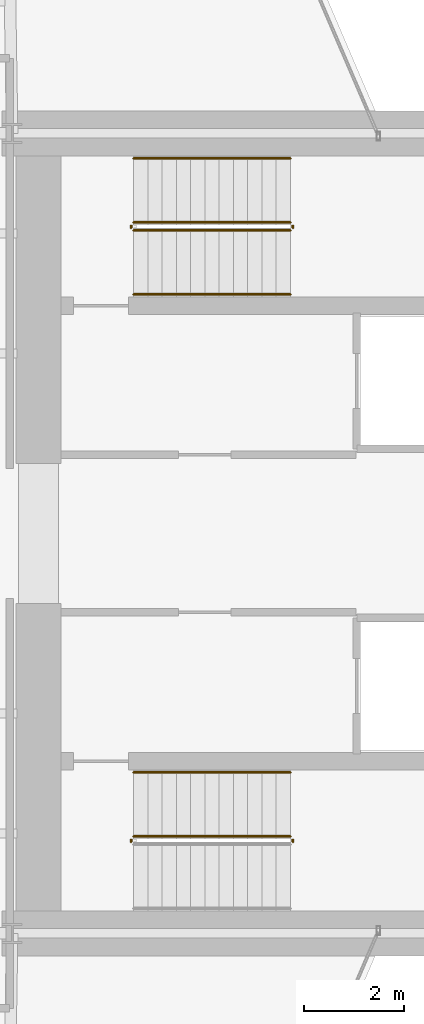
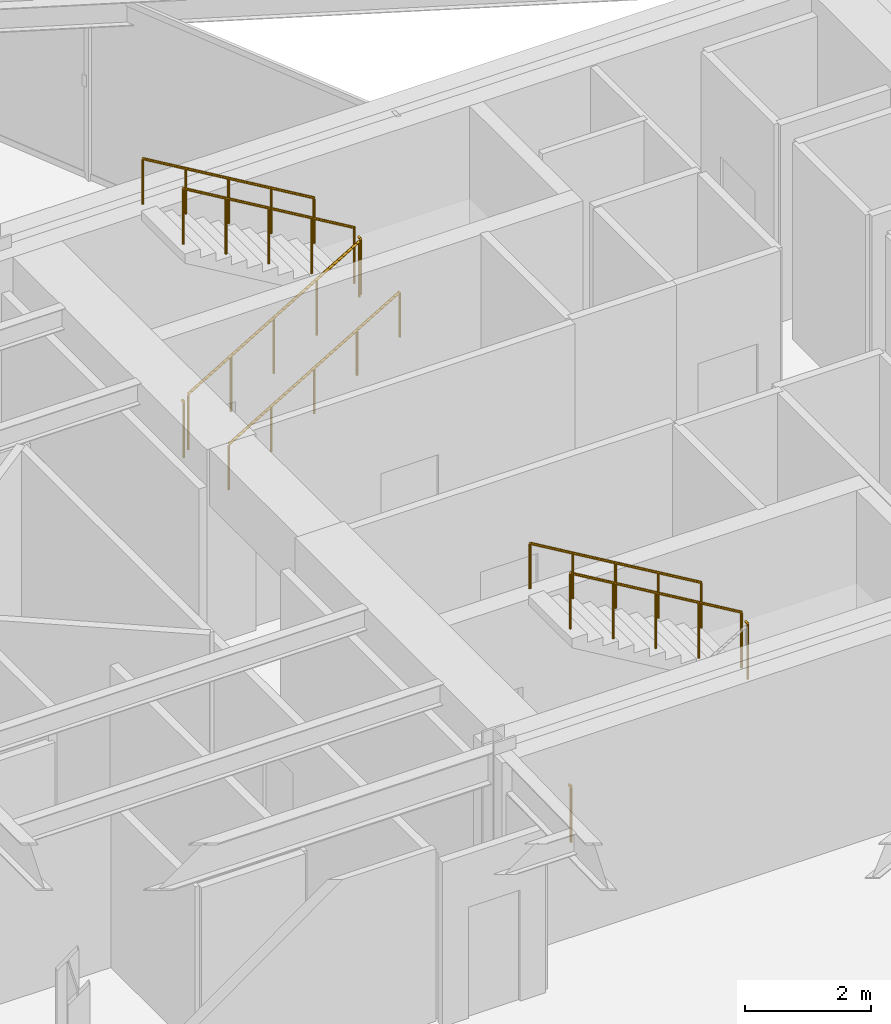
# One storey, part 27 of 27: 10 railings.
"""IFC4 building model written with IfcOpenShell, lengths in metres."""

from ifc_helpers import new_model, si_unit, direction, frame, origin, origin_2d, place, context, subcontext, project, spatial, circle, extrude, material, type_object, element, save


model = new_model("IFC4")

# Units and contexts
model_context = context("Model", 3, precision=1e-05, world=origin(), true_north=direction((0.0, 1.0)))
body_context = subcontext(model_context, "Body", "Model", "MODEL_VIEW")
ifc_project = project(units=[si_unit("LENGTHUNIT", "METRE"), si_unit("AREAUNIT", "SQUARE_METRE"), si_unit("VOLUMEUNIT", "CUBIC_METRE"), si_unit("PLANEANGLEUNIT", "RADIAN"), si_unit("MASSUNIT", "GRAM", prefix="KILO")], contexts=[model_context])

# Site, building, storey
site_placement = place(None, origin())
site = spatial("IfcSite", under=ifc_project, at=site_placement, CompositionType="ELEMENT")
building_placement = place(site_placement, origin())
building = spatial("IfcBuilding", under=site, at=building_placement, Name="Veymaron Broadcast Tower", CompositionType="ELEMENT")
storey_placement = place(building_placement, frame((0.0, 0.0, 86.39990234375)))
storey = spatial("IfcBuildingStorey", under=building, at=storey_placement, Name="L19", CompositionType="ELEMENT", Elevation=86.39990234375)

# Railings
ifc_material_1 = material(Name="Brushed stainless steel AISI 304", Category="steel")
railing_type_1 = type_object("IfcRailingType", Name="RAIL-STAIR-HR", PredefinedType="HANDRAIL", material=ifc_material_1)
railing_1_placement = place(storey_placement, frame((41.429931640625, 28.780029296875, 0.1689453125)))
element("IfcRailing", 1, at=railing_1_placement, inside=storey, type_object=railing_type_1, Name="L19 ST1 stair handrail 1", PredefinedType="HANDRAIL", context=body_context, shape_type="SweptSolid", body=[
    extrude(circle(Radius=0.02392578125, at=origin_2d()), frame((0.0, 0.0, 0.8759765625), z_axis=(0.860481960309, 0.0, 0.509480908359), x_axis=(0.0, 1.0, 0.0)), (0.0, 0.0, 1.0), 3.643310546875),
    extrude(circle(Radius=0.02099609375, at=origin_2d()), origin(), (0.0, 0.0, 1.0), 0.851806640625),
    extrude(circle(Radius=0.02099609375, at=origin_2d()), frame((0.78369140625, 0.0, 0.464111328125)), (0.0, 0.0, 1.0), 0.851806640625),
    extrude(circle(Radius=0.02099609375, at=origin_2d()), frame((1.5673828125, 0.0, 0.92822265625)), (0.0, 0.0, 1.0), 0.851806640625),
    extrude(circle(Radius=0.02099609375, at=origin_2d()), frame((2.351318359375, 0.0, 1.39208984375)), (0.0, 0.0, 1.0), 0.851806640625),
    extrude(circle(Radius=0.02099609375, at=origin_2d()), frame((3.135009765625, 0.0, 1.856201171875)), (0.0, 0.0, 1.0), 0.851806640625),
])
for number, where, name in (
    (2, (44.56494140625, 31.5, 2.19384765625), "L19 ST1 stair handrail 2"),
    (3, (44.56494140625, 19.219970703125, 2.19384765625), "L19 ST2 stair handrail 2"),
):
    element("IfcRailing", number, at=place(storey_placement, frame(where)), inside=storey, type_object=railing_type_1, Name=name, PredefinedType="HANDRAIL", context=body_context, shape_type="SweptSolid", body=[
        extrude(circle(Radius=0.02392578125, at=origin_2d()), frame((0.0, 0.0, 0.8759765625), z_axis=(-0.860481960309, 0.0, 0.509480908359), x_axis=(0.0, -1.0, 0.0)), (0.0, 0.0, 1.0), 3.643310546875),
        extrude(circle(Radius=0.02099609375, at=origin_2d()), origin(), (0.0, 0.0, 1.0), 0.851806640625),
        extrude(circle(Radius=0.02099609375, at=origin_2d()), frame((-0.78369140625, 0.0, 0.464111328125)), (0.0, 0.0, 1.0), 0.851806640625),
        extrude(circle(Radius=0.02099609375, at=origin_2d()), frame((-1.5673828125, 0.0, 0.92822265625)), (0.0, 0.0, 1.0), 0.851806640625),
        extrude(circle(Radius=0.02099609375, at=origin_2d()), frame((-2.351318359375, 0.0, 1.39208984375)), (0.0, 0.0, 1.0), 0.851806640625),
        extrude(circle(Radius=0.02099609375, at=origin_2d()), frame((-3.135009765625, 0.0, 1.856201171875)), (0.0, 0.0, 1.0), 0.851806640625),
    ])
ifc_material_2 = material(Name="Painted galvanized steel balustrade", Category="steel")
railing_type_2 = type_object("IfcRailingType", Name="RAIL-WELL-GRD", PredefinedType="GUARDRAIL", material=ifc_material_2)
railing_2_placement = place(storey_placement, frame((41.429931640625, 30.06005859375, 0.1689453125)))
element("IfcRailing", 4, at=railing_2_placement, inside=storey, type_object=railing_type_2, Name="L19 ST1 stair guard 1", PredefinedType="GUARDRAIL", context=body_context, shape_type="SweptSolid", body=[
    extrude(circle(Radius=0.02392578125, at=origin_2d()), frame((0.0, 0.0, 1.076171875), z_axis=(0.860481960309, 0.0, 0.509480908359), x_axis=(0.0, 1.0, 0.0)), (0.0, 0.0, 1.0), 3.643310546875),
    extrude(circle(Radius=0.02099609375, at=origin_2d()), origin(), (0.0, 0.0, 1.0), 1.052001953125),
    extrude(circle(Radius=0.02099609375, at=origin_2d()), frame((0.78369140625, 0.0, 0.464111328125)), (0.0, 0.0, 1.0), 1.052001953125),
    extrude(circle(Radius=0.02099609375, at=origin_2d()), frame((1.5673828125, 0.0, 0.92822265625)), (0.0, 0.0, 1.0), 1.052001953125),
    extrude(circle(Radius=0.02099609375, at=origin_2d()), frame((2.351318359375, 0.0, 1.39208984375)), (0.0, 0.0, 1.0), 1.052001953125),
    extrude(circle(Radius=0.02099609375, at=origin_2d()), frame((3.135009765625, 0.0, 1.856201171875)), (0.0, 0.0, 1.0), 1.052001953125),
])
railing_3_placement = place(storey_placement, frame((44.614990234375, 30.110107421875, 2.025146484375)))
element("IfcRailing", 5, at=railing_3_placement, inside=storey, type_object=railing_type_2, Name="L19 ST1 stair guard 2", PredefinedType="GUARDRAIL", context=body_context, shape_type="SweptSolid", body=[
    extrude(circle(Radius=0.02392578125, at=origin_2d()), frame((0.0, 0.0, 1.076171875), z_axis=(0.0, 1.0, 0.0), x_axis=(-1.0, 0.0, 0.0)), (0.0, 0.0, 1.0), 0.059814453125),
    extrude(circle(Radius=0.02099609375, at=origin_2d()), origin(), (0.0, 0.0, 1.0), 1.052001953125),
])
railing_4_placement = place(storey_placement, frame((44.56494140625, 30.219970703125, 2.19384765625)))
element("IfcRailing", 6, at=railing_4_placement, inside=storey, type_object=railing_type_2, Name="L19 ST1 stair guard 3", PredefinedType="GUARDRAIL", context=body_context, shape_type="SweptSolid", body=[
    extrude(circle(Radius=0.02392578125, at=origin_2d()), frame((0.0, 0.0, 1.076171875), z_axis=(-0.860481960309, 0.0, 0.509480908359), x_axis=(0.0, -1.0, 0.0)), (0.0, 0.0, 1.0), 3.643310546875),
    extrude(circle(Radius=0.02099609375, at=origin_2d()), origin(), (0.0, 0.0, 1.0), 1.052001953125),
    extrude(circle(Radius=0.02099609375, at=origin_2d()), frame((-0.78369140625, 0.0, 0.464111328125)), (0.0, 0.0, 1.0), 1.052001953125),
    extrude(circle(Radius=0.02099609375, at=origin_2d()), frame((-1.5673828125, 0.0, 0.92822265625)), (0.0, 0.0, 1.0), 1.052001953125),
    extrude(circle(Radius=0.02099609375, at=origin_2d()), frame((-2.351318359375, 0.0, 1.39208984375)), (0.0, 0.0, 1.0), 1.052001953125),
    extrude(circle(Radius=0.02099609375, at=origin_2d()), frame((-3.135009765625, 0.0, 1.856201171875)), (0.0, 0.0, 1.0), 1.052001953125),
])
for number, where, name in (
    (7, (41.3798828125, 30.110107421875, 0.0), "L19 ST1 stair guard 4"),
    (8, (44.614990234375, 17.830078125, 2.025146484375), "L19 ST2 stair guard 2"),
):
    element("IfcRailing", number, at=place(storey_placement, frame(where)), inside=storey, type_object=railing_type_2, Name=name, PredefinedType="GUARDRAIL", context=body_context, shape_type="SweptSolid", body=[
        extrude(circle(Radius=0.02392578125, at=origin_2d()), frame((0.0, 0.0, 1.076171875), z_axis=(0.0, 1.0, 0.0), x_axis=(-1.0, 0.0, 0.0)), (0.0, 0.0, 1.0), 0.059814453125),
        extrude(circle(Radius=0.02099609375, at=origin_2d()), origin(), (0.0, 0.0, 1.0), 1.052001953125),
    ])
railing_5_placement = place(storey_placement, frame((44.56494140625, 17.93994140625, 2.19384765625)))
element("IfcRailing", 9, at=railing_5_placement, inside=storey, type_object=railing_type_2, Name="L19 ST2 stair guard 3", PredefinedType="GUARDRAIL", context=body_context, shape_type="SweptSolid", body=[
    extrude(circle(Radius=0.02392578125, at=origin_2d()), frame((0.0, 0.0, 1.076171875), z_axis=(-0.860481960309, 0.0, 0.509480908359), x_axis=(0.0, -1.0, 0.0)), (0.0, 0.0, 1.0), 3.643310546875),
    extrude(circle(Radius=0.02099609375, at=origin_2d()), origin(), (0.0, 0.0, 1.0), 1.052001953125),
    extrude(circle(Radius=0.02099609375, at=origin_2d()), frame((-0.78369140625, 0.0, 0.464111328125)), (0.0, 0.0, 1.0), 1.052001953125),
    extrude(circle(Radius=0.02099609375, at=origin_2d()), frame((-1.5673828125, 0.0, 0.92822265625)), (0.0, 0.0, 1.0), 1.052001953125),
    extrude(circle(Radius=0.02099609375, at=origin_2d()), frame((-2.351318359375, 0.0, 1.39208984375)), (0.0, 0.0, 1.0), 1.052001953125),
    extrude(circle(Radius=0.02099609375, at=origin_2d()), frame((-3.135009765625, 0.0, 1.856201171875)), (0.0, 0.0, 1.0), 1.052001953125),
])
railing_6_placement = place(storey_placement, frame((41.3798828125, 17.830078125, 0.0)))
element("IfcRailing", 10, at=railing_6_placement, inside=storey, type_object=railing_type_2, Name="L19 ST2 stair guard 4", PredefinedType="GUARDRAIL", context=body_context, shape_type="SweptSolid", body=[
    extrude(circle(Radius=0.02392578125, at=origin_2d()), frame((0.0, 0.0, 1.076171875), z_axis=(0.0, 1.0, 0.0), x_axis=(-1.0, 0.0, 0.0)), (0.0, 0.0, 1.0), 0.059814453125),
    extrude(circle(Radius=0.02099609375, at=origin_2d()), origin(), (0.0, 0.0, 1.0), 1.052001953125),
])

save(model, "model.ifc")
